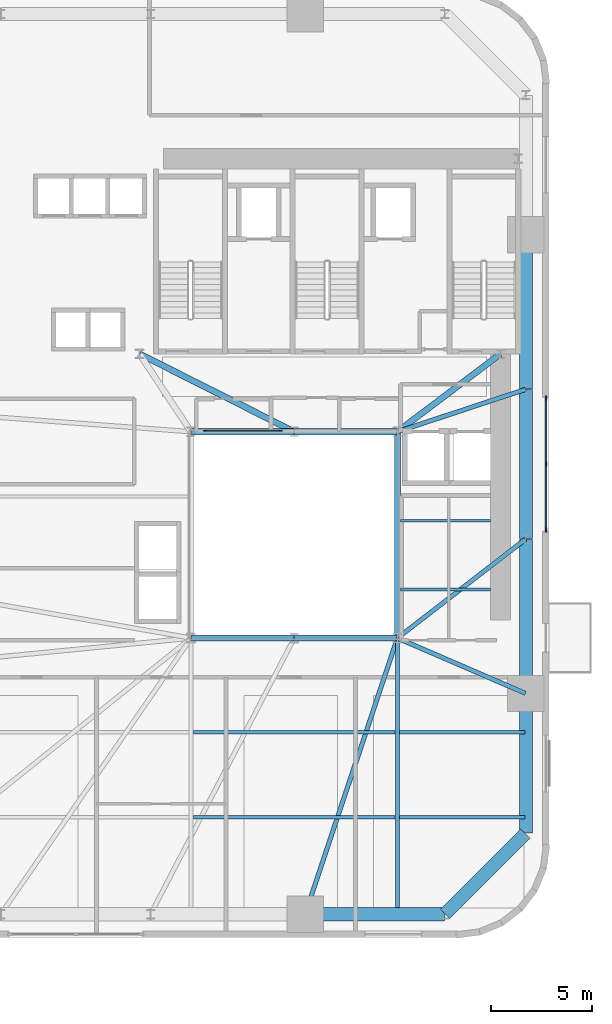
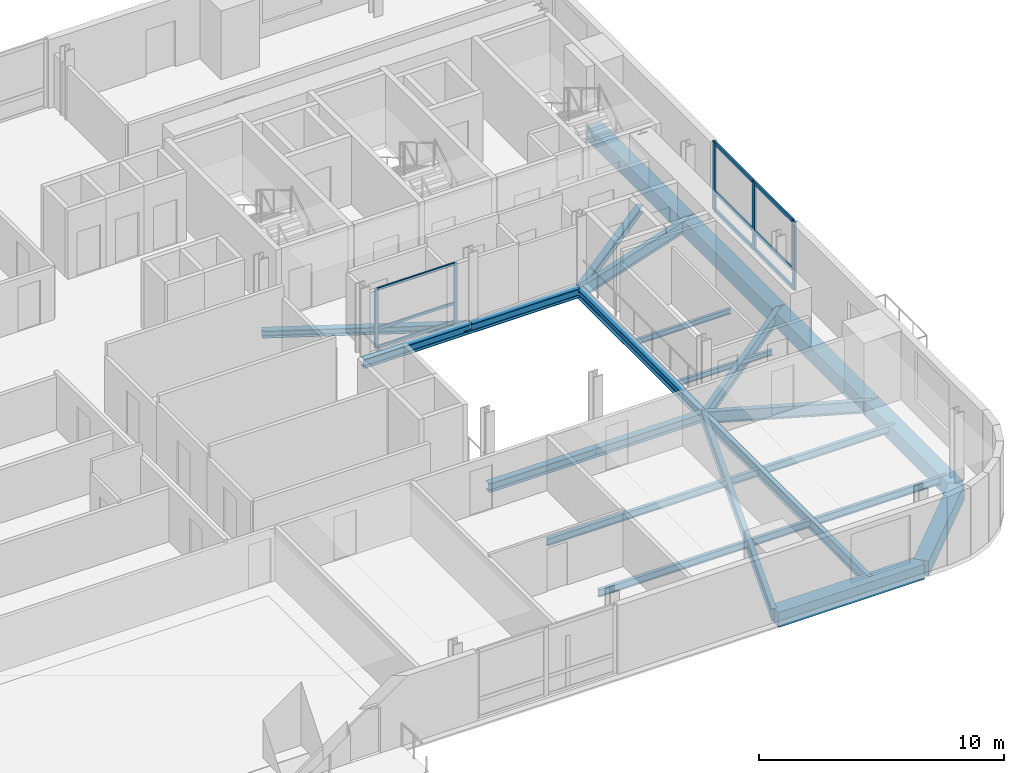
# One storey, part 3 of 13: 24 beams, 14 members, 2 elements without a shape of their own.
"""IFC4 building model written with IfcOpenShell, lengths in metres."""

from ifc_helpers import new_model, si_unit, direction, frame, origin, origin_2d, place, context, subcontext, project, spatial, rectangle, i_section, extrude, source, transform, mapped, material, material_profile, profile_set, type_object, element, aggregate, save


model = new_model("IFC4")

# Units and contexts
model_context = context("Model", 3, precision=1e-05, world=origin(), true_north=direction((0.0, 1.0)))
body_context = subcontext(model_context, "Body", "Model", "MODEL_VIEW")
ifc_project = project(units=[si_unit("LENGTHUNIT", "METRE"), si_unit("AREAUNIT", "SQUARE_METRE"), si_unit("VOLUMEUNIT", "CUBIC_METRE"), si_unit("PLANEANGLEUNIT", "RADIAN"), si_unit("MASSUNIT", "GRAM", prefix="KILO")], contexts=[model_context])

# Site, building, storey
site_placement = place(None, origin())
site = spatial("IfcSite", under=ifc_project, at=site_placement, CompositionType="ELEMENT")
building_placement = place(site_placement, origin())
building = spatial("IfcBuilding", under=site, at=building_placement, Name="Vardaveli Station Tower", CompositionType="ELEMENT")
storey_placement = place(building_placement, frame((0.0, 0.0, 34.89990234375)))
storey = spatial("IfcBuildingStorey", under=building, at=storey_placement, Name="L08", CompositionType="ELEMENT", Elevation=34.89990234375)

# Beams
ifc_material_1 = material(Name="Structural steel S355J2", Category="steel")
ifc_material_profile_1 = material_profile(ifc_material_1, i_section(OverallWidth=0.300048828125, OverallDepth=0.449951171875, WebThickness=0.013916015625, FlangeThickness=0.02587890625, FilletRadius=0.027099609375, at=origin_2d()), Name="HEB 450")
ifc_profile_set_1 = profile_set([ifc_material_profile_1], Name="Structural steel S355J2")
beam_type_1 = type_object("IfcBeamType", Name="BM-HEB450", PredefinedType="BEAM", material=ifc_profile_set_1)
shared_shape_1 = source(origin(), body_context, "Body", "SweptSolid", [
    extrude(i_section(OverallWidth=0.300048828125, OverallDepth=0.449951171875, WebThickness=0.013916015625, FlangeThickness=0.02587890625, FilletRadius=0.027099609375, at=origin_2d()), origin(), (0.0, 0.0, 1.0), 5.06005859375),
])
for number, where, z_axis, x_axis, name in (
    (1, (31.219970703125, 16.60009765625, -0.46484375), (1.0, 0.0, 0.0), (0.0, 1.0, 0.0), "ABM-L08-01"),
    (2, (36.280029296875, 26.800048828125, -0.46484375), (-1.0, 0.0, 0.0), (0.0, -1.0, 0.0), "ABM-L08-05"),
):
    element("IfcBeam", number, at=place(storey_placement, frame(where, z_axis=z_axis, x_axis=x_axis)), inside=storey, type_object=beam_type_1, Name=name, PredefinedType="BEAM", context=body_context, shape_type="MappedRepresentation", body=[
        mapped(shared_shape_1, transform((0.0, 0.0, 0.0), scale=1.0)),
    ])
shared_shape_2 = source(origin(), body_context, "Body", "SweptSolid", [
    extrude(i_section(OverallWidth=0.300048828125, OverallDepth=0.449951171875, WebThickness=0.013916015625, FlangeThickness=0.02587890625, FilletRadius=0.027099609375, at=origin_2d()), origin(), (0.0, 0.0, 1.0), 5.059814453125),
])
for number, where, z_axis, x_axis, name in (
    (3, (36.320068359375, 16.60009765625, -0.46484375), (1.0, 0.0, 0.0), (0.0, 1.0, 0.0), "ABM-L08-02"),
    (4, (41.3798828125, 26.800048828125, -0.46484375), (-1.0, 0.0, 0.0), (0.0, -1.0, 0.0), "ABM-L08-04"),
):
    element("IfcBeam", number, at=place(storey_placement, frame(where, z_axis=z_axis, x_axis=x_axis)), inside=storey, type_object=beam_type_1, Name=name, PredefinedType="BEAM", context=body_context, shape_type="MappedRepresentation", body=[
        mapped(shared_shape_2, transform((0.0, 0.0, 0.0), scale=1.0)),
    ])
shared_shape_3 = source(origin(), body_context, "Body", "SweptSolid", [
    extrude(i_section(OverallWidth=0.300048828125, OverallDepth=0.449951171875, WebThickness=0.013916015625, FlangeThickness=0.02587890625, FilletRadius=0.027099609375, at=origin_2d()), origin(), (0.0, 0.0, 1.0), 10.159912109375),
])
beam_1_placement = place(storey_placement, frame((41.39990234375, 16.6201171875, -0.46484375), z_axis=(0.0, 1.0, 0.0), x_axis=(-1.0, 0.0, 0.0)))
element("IfcBeam", 5, at=beam_1_placement, inside=storey, type_object=beam_type_1, Name="ABM-L08-03", PredefinedType="BEAM", context=body_context, shape_type="MappedRepresentation", body=[
    mapped(shared_shape_3, transform((0.0, 0.0, 0.0), scale=1.0)),
])
ifc_material_profile_2 = material_profile(ifc_material_1, i_section(OverallWidth=0.300048828125, OverallDepth=0.360107421875, WebThickness=0.012451171875, FlangeThickness=0.0224609375, FilletRadius=0.027099609375, at=origin_2d()), Name="HEB 360")
ifc_profile_set_2 = profile_set([ifc_material_profile_2], Name="Structural steel S355J2")
beam_type_2 = type_object("IfcBeamType", Name="BM-HEB360", PredefinedType="BEAM", material=ifc_profile_set_2)
shared_shape_4 = source(origin(), body_context, "Body", "SweptSolid", [
    extrude(i_section(OverallWidth=0.300048828125, OverallDepth=0.360107421875, WebThickness=0.012451171875, FlangeThickness=0.0224609375, FilletRadius=0.027099609375, at=origin_2d()), origin(), (0.0, 0.0, 1.0), 6.35009765625),
])
beam_2_placement = place(storey_placement, frame((41.416015625, 26.81201171875, -0.419921875), z_axis=(0.798118337722, 0.602500721154, 0.0), x_axis=(-0.602500721154, 0.798118337722, 0.0)))
element("IfcBeam", 6, at=beam_2_placement, inside=storey, type_object=beam_type_2, Name="CBM-L08-02", PredefinedType="BEAM", context=body_context, shape_type="MappedRepresentation", body=[
    mapped(shared_shape_4, transform((0.0, 0.0, 0.0), scale=1.0)),
])
shared_shape_5 = source(origin(), body_context, "Body", "SweptSolid", [
    extrude(i_section(OverallWidth=0.300048828125, OverallDepth=0.360107421875, WebThickness=0.012451171875, FlangeThickness=0.0224609375, FilletRadius=0.027099609375, at=origin_2d()), origin(), (0.0, 0.0, 1.0), 8.524169921875),
])
beam_3_placement = place(storey_placement, frame((28.66796875, 30.64111328125, -0.419921875), z_axis=(0.893255584708, -0.449549174605, 0.0), x_axis=(0.449549174605, 0.893255584708, 0.0)))
element("IfcBeam", 7, at=beam_3_placement, inside=storey, type_object=beam_type_2, Name="CBM-L08-03", PredefinedType="BEAM", context=body_context, shape_type="MappedRepresentation", body=[
    mapped(shared_shape_5, transform((0.0, 0.0, 0.0), scale=1.0)),
])
ifc_material_2 = material(Name="Precast concrete C45/55", Category="concrete")
ifc_material_profile_3 = material_profile(ifc_material_2, rectangle(XDim=0.64990234375, YDim=0.75, at=origin_2d()), Name="LPB 650x750")
ifc_profile_set_3 = profile_set([ifc_material_profile_3], Name="Precast concrete C45/55")
beam_type_3 = type_object("IfcBeamType", Name="BM-LPB-750", PredefinedType="BEAM", material=ifc_profile_set_3)
shared_shape_6 = source(origin(), body_context, "Body", "SweptSolid", [
    extrude(rectangle(XDim=0.64990234375, YDim=0.75, at=origin_2d()), origin(), (0.0, 0.0, 1.0), 7.60009765625),
])
for number, where, z_axis, x_axis, name in (
    (8, (47.75, 13.8798828125, -0.614990234375), (0.0, 1.0, 0.0), (-1.0, 0.0, 0.0), "RBM-L08-07"),
    (9, (47.75, 28.919921875, -0.614990234375), (0.0, 1.0, 0.0), (-1.0, 0.0, 0.0), "RBM-L08-09"),
):
    element("IfcBeam", number, at=place(storey_placement, frame(where, z_axis=z_axis, x_axis=x_axis)), inside=storey, type_object=beam_type_3, Name=name, PredefinedType="BEAM", context=body_context, shape_type="MappedRepresentation", body=[
        mapped(shared_shape_6, transform((0.0, 0.0, 0.0), scale=1.0)),
    ])
shared_shape_7 = source(origin(), body_context, "Body", "SweptSolid", [
    extrude(rectangle(XDim=0.64990234375, YDim=0.75, at=origin_2d()), origin(), (0.0, 0.0, 1.0), 7.35986328125),
])
beam_4_placement = place(storey_placement, frame((47.75, 21.52001953125, -0.614990234375), z_axis=(0.0, 1.0, 0.0), x_axis=(-1.0, 0.0, 0.0)))
element("IfcBeam", 10, at=beam_4_placement, inside=storey, type_object=beam_type_3, Name="RBM-L08-08", PredefinedType="BEAM", context=body_context, shape_type="MappedRepresentation", body=[
    mapped(shared_shape_7, transform((0.0, 0.0, 0.0), scale=1.0)),
])
shared_shape_8 = source(origin(), body_context, "Body", "SweptSolid", [
    extrude(rectangle(XDim=0.64990234375, YDim=0.75, at=origin_2d()), origin(), (0.0, 0.0, 1.0), 6.869873046875),
])
beam_5_placement = place(storey_placement, frame((36.860107421875, 2.949951171875, -0.614990234375), z_axis=(1.0, 0.0, 0.0), x_axis=(0.0, 1.0, 0.0)))
element("IfcBeam", 11, at=beam_5_placement, inside=storey, type_object=beam_type_3, Name="RBM-L08-04", PredefinedType="BEAM", context=body_context, shape_type="MappedRepresentation", body=[
    mapped(shared_shape_8, transform((0.0, 0.0, 0.0), scale=1.0)),
])
shared_shape_9 = source(origin(), body_context, "Body", "SweptSolid", [
    extrude(rectangle(XDim=0.64990234375, YDim=0.75, at=origin_2d()), origin(), (0.0, 0.0, 1.0), 5.61669921875),
])
beam_6_placement = place(storey_placement, frame((43.76416015625, 2.964111328125, -0.614990234375), z_axis=(0.707106781187, 0.707106781187, 0.0), x_axis=(-0.707106781187, 0.707106781187, 0.0)))
element("IfcBeam", 12, at=beam_6_placement, inside=storey, type_object=beam_type_3, Name="RBM-L08-05", PredefinedType="BEAM", context=body_context, shape_type="MappedRepresentation", body=[
    mapped(shared_shape_9, transform((0.0, 0.0, 0.0), scale=1.0)),
])
shared_shape_10 = source(origin(), body_context, "Body", "SweptSolid", [
    extrude(rectangle(XDim=0.64990234375, YDim=0.75, at=origin_2d()), origin(), (0.0, 0.0, 1.0), 6.8701171875),
])
beam_7_placement = place(storey_placement, frame((47.75, 6.969970703125, -0.614990234375), z_axis=(0.0, 1.0, 0.0), x_axis=(-1.0, 0.0, 0.0)))
element("IfcBeam", 13, at=beam_7_placement, inside=storey, type_object=beam_type_3, Name="RBM-L08-06", PredefinedType="BEAM", context=body_context, shape_type="MappedRepresentation", body=[
    mapped(shared_shape_10, transform((0.0, 0.0, 0.0), scale=1.0)),
])
ifc_material_profile_4 = material_profile(ifc_material_1, i_section(OverallWidth=0.219970703125, OverallDepth=0.60009765625, WebThickness=0.011962890625, FlangeThickness=0.01904296875, FilletRadius=0.02392578125, at=origin_2d()), Name="IPE 600")
ifc_profile_set_4 = profile_set([ifc_material_profile_4], Name="Structural steel S355J2")
beam_type_4 = type_object("IfcBeamType", Name="BM-IPE600", PredefinedType="BEAM", material=ifc_profile_set_4)
shared_shape_11 = source(origin(), body_context, "Body", "SweptSolid", [
    extrude(i_section(OverallWidth=0.219970703125, OverallDepth=0.60009765625, WebThickness=0.011962890625, FlangeThickness=0.01904296875, FilletRadius=0.02392578125, at=origin_2d()), origin(), (0.0, 0.0, 1.0), 14.3515625),
])
beam_8_placement = place(storey_placement, frame((36.846435546875, 2.968994140625, -0.539794921875), z_axis=(0.316840115921, 0.948478961782, 0.0), x_axis=(-0.948478961782, 0.316840115921, 0.0)))
element("IfcBeam", 14, at=beam_8_placement, inside=storey, type_object=beam_type_4, Name="GBM-L08-04", PredefinedType="BEAM", context=body_context, shape_type="MappedRepresentation", body=[
    mapped(shared_shape_11, transform((0.0, 0.0, 0.0), scale=1.0)),
])
shared_shape_12 = source(origin(), body_context, "Body", "SweptSolid", [
    extrude(i_section(OverallWidth=0.219970703125, OverallDepth=0.60009765625, WebThickness=0.011962890625, FlangeThickness=0.01904296875, FilletRadius=0.02392578125, at=origin_2d()), origin(), (0.0, 0.0, 1.0), 6.8759765625),
])
beam_9_placement = place(storey_placement, frame((47.731689453125, 13.867919921875, -0.539794921875), z_axis=(-0.918170694621, 0.396185026899, 0.0), x_axis=(-0.396185026899, -0.918170694621, 0.0)))
element("IfcBeam", 15, at=beam_9_placement, inside=storey, type_object=beam_type_4, Name="GBM-L08-05", PredefinedType="BEAM", context=body_context, shape_type="MappedRepresentation", body=[
    mapped(shared_shape_12, transform((0.0, 0.0, 0.0), scale=1.0)),
])
shared_shape_13 = source(origin(), body_context, "Body", "SweptSolid", [
    extrude(i_section(OverallWidth=0.219970703125, OverallDepth=0.60009765625, WebThickness=0.011962890625, FlangeThickness=0.01904296875, FilletRadius=0.02392578125, at=origin_2d()), origin(), (0.0, 0.0, 1.0), 7.980712890625),
])
beam_10_placement = place(storey_placement, frame((47.734130859375, 21.48779296875, -0.539794921875), z_axis=(-0.791701934907, -0.610907559509, 0.0), x_axis=(0.610907559509, -0.791701934907, 0.0)))
element("IfcBeam", 16, at=beam_10_placement, inside=storey, type_object=beam_type_4, Name="GBM-L08-06", PredefinedType="BEAM", context=body_context, shape_type="MappedRepresentation", body=[
    mapped(shared_shape_13, transform((0.0, 0.0, 0.0), scale=1.0)),
])
shared_shape_14 = source(origin(), body_context, "Body", "SweptSolid", [
    extrude(i_section(OverallWidth=0.219970703125, OverallDepth=0.60009765625, WebThickness=0.011962890625, FlangeThickness=0.01904296875, FilletRadius=0.02392578125, at=origin_2d()), origin(), (0.0, 0.0, 1.0), 6.648193359375),
])
beam_11_placement = place(storey_placement, frame((47.73095703125, 28.893798828125, -0.539794921875), z_axis=(-0.949429779906, -0.313979446824, 0.0), x_axis=(0.313979446824, -0.949429779906, 0.0)))
element("IfcBeam", 17, at=beam_11_placement, inside=storey, type_object=beam_type_4, Name="GBM-L08-07", PredefinedType="BEAM", context=body_context, shape_type="MappedRepresentation", body=[
    mapped(shared_shape_14, transform((0.0, 0.0, 0.0), scale=1.0)),
])
ifc_material_profile_5 = material_profile(ifc_material_1, i_section(OverallWidth=0.2099609375, OverallDepth=0.550048828125, WebThickness=0.010986328125, FlangeThickness=0.01708984375, FilletRadius=0.02392578125, at=origin_2d()), Name="IPE 550")
ifc_profile_set_5 = profile_set([ifc_material_profile_5], Name="Structural steel S355J2")
beam_type_5 = type_object("IfcBeamType", Name="BM-IPE550", PredefinedType="BEAM", material=ifc_profile_set_5)
shared_shape_15 = source(origin(), body_context, "Body", "SweptSolid", [
    extrude(i_section(OverallWidth=0.2099609375, OverallDepth=0.550048828125, WebThickness=0.010986328125, FlangeThickness=0.01708984375, FilletRadius=0.02392578125, at=origin_2d()), origin(), (0.0, 0.0, 1.0), 13.469970703125),
])
beam_12_placement = place(storey_placement, frame((41.39990234375, 2.989990234375, -0.514892578125), z_axis=(0.0, 1.0, 0.0), x_axis=(-1.0, 0.0, 0.0)))
element("IfcBeam", 18, at=beam_12_placement, inside=storey, type_object=beam_type_5, Name="NSM-L08-S2", PredefinedType="BEAM", context=body_context, shape_type="MappedRepresentation", body=[
    mapped(shared_shape_15, transform((0.0, 0.0, 0.0), scale=1.0)),
])
ifc_material_profile_6 = material_profile(ifc_material_1, i_section(OverallWidth=0.169921875, OverallDepth=0.360107421875, WebThickness=0.008056640625, FlangeThickness=0.0126953125, FilletRadius=0.01806640625, at=origin_2d()), Name="IPE 360")
ifc_profile_set_6 = profile_set([ifc_material_profile_6], Name="Structural steel S355J2")
beam_type_6 = type_object("IfcBeamType", Name="BM-IPE360", PredefinedType="JOIST", material=ifc_profile_set_6)
shared_shape_16 = source(origin(), body_context, "Body", "SweptSolid", [
    extrude(i_section(OverallWidth=0.169921875, OverallDepth=0.360107421875, WebThickness=0.008056640625, FlangeThickness=0.0126953125, FilletRadius=0.01806640625, at=origin_2d()), origin(), (0.0, 0.0, 1.0), 9.97607421875),
])
for number, where, z_axis, x_axis, name in (
    (19, (31.31201171875, 7.75, -0.419921875), (1.0, 0.0, 0.0), (0.0, 1.0, 0.0), "SJ-L08-S02"),
    (20, (31.31201171875, 11.949951171875, -0.419921875), (1.0, 0.0, 0.0), (0.0, 1.0, 0.0), "SJ-L08-S05"),
):
    element("IfcBeam", number, at=place(storey_placement, frame(where, z_axis=z_axis, x_axis=x_axis)), inside=storey, type_object=beam_type_6, Name=name, PredefinedType="JOIST", context=body_context, shape_type="MappedRepresentation", body=[
        mapped(shared_shape_16, transform((0.0, 0.0, 0.0), scale=1.0)),
    ])
shared_shape_17 = source(origin(), body_context, "Body", "SweptSolid", [
    extrude(i_section(OverallWidth=0.169921875, OverallDepth=0.360107421875, WebThickness=0.008056640625, FlangeThickness=0.0126953125, FilletRadius=0.01806640625, at=origin_2d()), origin(), (0.0, 0.0, 1.0), 6.197998046875),
])
for number, where, z_axis, x_axis, name in (
    (21, (41.511962890625, 7.75, -0.419921875), (1.0, 0.0, 0.0), (0.0, 1.0, 0.0), "SJ-L08-S03"),
    (22, (41.511962890625, 11.949951171875, -0.419921875), (1.0, 0.0, 0.0), (0.0, 1.0, 0.0), "SJ-L08-S06"),
):
    element("IfcBeam", number, at=place(storey_placement, frame(where, z_axis=z_axis, x_axis=x_axis)), inside=storey, type_object=beam_type_6, Name=name, PredefinedType="JOIST", context=body_context, shape_type="MappedRepresentation", body=[
        mapped(shared_shape_17, transform((0.0, 0.0, 0.0), scale=1.0)),
    ])
ifc_material_profile_7 = material_profile(ifc_material_1, i_section(OverallWidth=0.135009765625, OverallDepth=0.27001953125, WebThickness=0.006591796875, FlangeThickness=0.01025390625, FilletRadius=0.014892578125, at=origin_2d()), Name="IPE 270")
ifc_profile_set_7 = profile_set([ifc_material_profile_7], Name="Structural steel S355J2")
beam_type_7 = type_object("IfcBeamType", Name="BM-IPE270", PredefinedType="BEAM", material=ifc_profile_set_7)
shared_shape_18 = source(origin(), body_context, "Body", "SweptSolid", [
    extrude(i_section(OverallWidth=0.135009765625, OverallDepth=0.27001953125, WebThickness=0.006591796875, FlangeThickness=0.01025390625, FilletRadius=0.014892578125, at=origin_2d()), origin(), (0.0, 0.0, 1.0), 4.43017578125),
])
for number, where, z_axis, x_axis, name in (
    (23, (41.56494140625, 19.0, -0.375), (1.0, 0.0, 0.0), (0.0, 1.0, 0.0), "TJ-L08-01"),
    (24, (41.56494140625, 22.39990234375, -0.375), (1.0, 0.0, 0.0), (0.0, 1.0, 0.0), "TJ-L08-02"),
):
    element("IfcBeam", number, at=place(storey_placement, frame(where, z_axis=z_axis, x_axis=x_axis)), inside=storey, type_object=beam_type_7, Name=name, PredefinedType="BEAM", context=body_context, shape_type="MappedRepresentation", body=[
        mapped(shared_shape_18, transform((0.0, 0.0, 0.0), scale=1.0)),
    ])

# Curtain wall, members
ifc_material_3 = material(Name="Travertine stone and solar-control glass", Category="masonry")
curtain_wall_type_1 = type_object("IfcCurtainWallType", Name="CW-SYS-2", PredefinedType="NOTDEFINED", material=ifc_material_3)
curtain_wall_1_placement = place(storey_placement, origin())
curtain_wall_1 = element("IfcCurtainWall", 25, at=curtain_wall_1_placement, inside=storey, type_object=curtain_wall_type_1, Name="CW-L08-E", PredefinedType="NOTDEFINED")
ifc_material_4 = material(Name="Anodised aluminium alloy 6063-T6", Category="aluminium")
ifc_material_profile_8 = material_profile(ifc_material_4, rectangle(XDim=0.0849609375, YDim=0.179931640625, at=origin_2d()), Name="CWT 85x180")
ifc_profile_set_8 = profile_set([ifc_material_profile_8], Name="Anodised aluminium alloy 6063-T6")
member_type_1 = type_object("IfcMemberType", Name="CW-SYS-2-TRAN", PredefinedType="NOTDEFINED", material=ifc_profile_set_8)
shared_shape_19 = source(origin(), body_context, "Body", "SweptSolid", [
    extrude(rectangle(XDim=0.0849609375, YDim=0.179931640625, at=origin_2d()), origin(), (0.0, 0.0, 1.0), 3.172607421875),
])
member_1_placement = place(storey_placement, frame((48.739990234375, 25.242431640625, 0.04248046875), z_axis=(0.0, 1.0, 0.0), x_axis=(-1.0, 0.0, 0.0)))
member_1 = element("IfcMember", 26, at=member_1_placement, type_object=member_type_1, Name="CW-2 transom 2.1", ObjectType="TRANSOM", PredefinedType="USERDEFINED", context=body_context, shape_type="MappedRepresentation", body=[
    mapped(shared_shape_19, transform((0.0, 0.0, 0.0), scale=1.0)),
])
member_2_placement = place(storey_placement, frame((48.739990234375, 25.242431640625, 0.9501953125), z_axis=(0.0, 1.0, 0.0), x_axis=(-1.0, 0.0, 0.0)))
member_2 = element("IfcMember", 27, at=member_2_placement, type_object=member_type_1, Name="CW-2 transom 2.2", ObjectType="TRANSOM", PredefinedType="USERDEFINED", context=body_context, shape_type="MappedRepresentation", body=[
    mapped(shared_shape_19, transform((0.0, 0.0, 0.0), scale=1.0)),
])
member_3_placement = place(storey_placement, frame((48.739990234375, 25.242431640625, 3.36767578125), z_axis=(0.0, 1.0, 0.0), x_axis=(-1.0, 0.0, 0.0)))
member_3 = element("IfcMember", 28, at=member_3_placement, type_object=member_type_1, Name="CW-2 transom 2.3", ObjectType="TRANSOM", PredefinedType="USERDEFINED", context=body_context, shape_type="MappedRepresentation", body=[
    mapped(shared_shape_19, transform((0.0, 0.0, 0.0), scale=1.0)),
])
shared_shape_20 = source(origin(), body_context, "Body", "SweptSolid", [
    extrude(rectangle(XDim=0.0849609375, YDim=0.179931640625, at=origin_2d()), origin(), (0.0, 0.0, 1.0), 3.17236328125),
])
member_4_placement = place(storey_placement, frame((48.739990234375, 21.985107421875, 0.04248046875), z_axis=(0.0, 1.0, 0.0), x_axis=(-1.0, 0.0, 0.0)))
member_4 = element("IfcMember", 29, at=member_4_placement, type_object=member_type_1, Name="CW-2 transom 1.1", ObjectType="TRANSOM", PredefinedType="USERDEFINED", context=body_context, shape_type="MappedRepresentation", body=[
    mapped(shared_shape_20, transform((0.0, 0.0, 0.0), scale=1.0)),
])
member_5_placement = place(storey_placement, frame((48.739990234375, 21.985107421875, 0.9501953125), z_axis=(0.0, 1.0, 0.0), x_axis=(-1.0, 0.0, 0.0)))
member_5 = element("IfcMember", 30, at=member_5_placement, type_object=member_type_1, Name="CW-2 transom 1.2", ObjectType="TRANSOM", PredefinedType="USERDEFINED", context=body_context, shape_type="MappedRepresentation", body=[
    mapped(shared_shape_20, transform((0.0, 0.0, 0.0), scale=1.0)),
])
member_6_placement = place(storey_placement, frame((48.739990234375, 21.985107421875, 3.36767578125), z_axis=(0.0, 1.0, 0.0), x_axis=(-1.0, 0.0, 0.0)))
member_6 = element("IfcMember", 31, at=member_6_placement, type_object=member_type_1, Name="CW-2 transom 1.3", ObjectType="TRANSOM", PredefinedType="USERDEFINED", context=body_context, shape_type="MappedRepresentation", body=[
    mapped(shared_shape_20, transform((0.0, 0.0, 0.0), scale=1.0)),
])
ifc_material_profile_9 = material_profile(ifc_material_4, rectangle(XDim=0.0849609375, YDim=0.219970703125, at=origin_2d()), Name="CWM 85x220")
ifc_profile_set_9 = profile_set([ifc_material_profile_9], Name="Anodised aluminium alloy 6063-T6")
member_type_2 = type_object("IfcMemberType", Name="CW-SYS-2-MULL", PredefinedType="MULLION", material=ifc_profile_set_9)
shared_shape_21 = source(origin(), body_context, "Body", "SweptSolid", [
    extrude(rectangle(XDim=0.0849609375, YDim=0.219970703125, at=origin_2d()), origin(), (0.0, 0.0, 1.0), 3.41015625),
])
member_7_placement = place(storey_placement, frame((48.739990234375, 21.9423828125, 0.0), z_axis=(0.0, 0.0, 1.0), x_axis=(-1.0, 0.0, 0.0)))
member_7 = element("IfcMember", 32, at=member_7_placement, type_object=member_type_2, Name="CW-2 mullion 1", PredefinedType="MULLION", context=body_context, shape_type="MappedRepresentation", body=[
    mapped(shared_shape_21, transform((0.0, 0.0, 0.0), scale=1.0)),
])
member_8_placement = place(storey_placement, frame((48.739990234375, 25.199951171875, 0.0), z_axis=(0.0, 0.0, 1.0), x_axis=(-1.0, 0.0, 0.0)))
member_8 = element("IfcMember", 33, at=member_8_placement, type_object=member_type_2, Name="CW-2 mullion 2", PredefinedType="MULLION", context=body_context, shape_type="MappedRepresentation", body=[
    mapped(shared_shape_21, transform((0.0, 0.0, 0.0), scale=1.0)),
])
member_9_placement = place(storey_placement, frame((48.739990234375, 28.45751953125, 0.0), z_axis=(0.0, 0.0, 1.0), x_axis=(-1.0, 0.0, 0.0)))
member_9 = element("IfcMember", 34, at=member_9_placement, type_object=member_type_2, Name="CW-2 mullion 3", PredefinedType="MULLION", context=body_context, shape_type="MappedRepresentation", body=[
    mapped(shared_shape_21, transform((0.0, 0.0, 0.0), scale=1.0)),
])
aggregate(curtain_wall_1, [member_7, member_8, member_9, member_4, member_5, member_6, member_1, member_2, member_3])

curtain_wall_type_2 = type_object("IfcCurtainWallType", Name="CW-SYS-4", PredefinedType="NOTDEFINED", material=ifc_material_3)
curtain_wall_2_placement = place(storey_placement, origin())
curtain_wall_2 = element("IfcCurtainWall", 35, at=curtain_wall_2_placement, inside=storey, type_object=curtain_wall_type_2, Name="CW-L08-ATN", PredefinedType="NOTDEFINED")
ifc_material_profile_10 = material_profile(ifc_material_4, rectangle(XDim=0.070068359375, YDim=0.135009765625, at=origin_2d()), Name="CWT 70x135")
ifc_profile_set_10 = profile_set([ifc_material_profile_10], Name="Anodised aluminium alloy 6063-T6")
member_type_3 = type_object("IfcMemberType", Name="CW-SYS-4-TRAN", PredefinedType="NOTDEFINED", material=ifc_profile_set_10)
shared_shape_22 = source(origin(), body_context, "Body", "SweptSolid", [
    extrude(rectangle(XDim=0.070068359375, YDim=0.135009765625, at=origin_2d()), origin(), (0.0, 0.0, 1.0), 3.66015625),
])
member_10_placement = place(storey_placement, frame((31.919921875, 26.85009765625, 0.03515625), z_axis=(1.0, 0.0, 0.0), x_axis=(0.0, 1.0, 0.0)))
member_10 = element("IfcMember", 36, at=member_10_placement, type_object=member_type_3, Name="CW-4 transom 1.1", ObjectType="TRANSOM", PredefinedType="USERDEFINED", context=body_context, shape_type="MappedRepresentation", body=[
    mapped(shared_shape_22, transform((0.0, 0.0, 0.0), scale=1.0)),
])
member_11_placement = place(storey_placement, frame((31.919921875, 26.85009765625, 0.9501953125), z_axis=(1.0, 0.0, 0.0), x_axis=(0.0, 1.0, 0.0)))
member_11 = element("IfcMember", 37, at=member_11_placement, type_object=member_type_3, Name="CW-4 transom 1.2", ObjectType="TRANSOM", PredefinedType="USERDEFINED", context=body_context, shape_type="MappedRepresentation", body=[
    mapped(shared_shape_22, transform((0.0, 0.0, 0.0), scale=1.0)),
])
member_12_placement = place(storey_placement, frame((31.919921875, 26.85009765625, 2.9150390625), z_axis=(1.0, 0.0, 0.0), x_axis=(0.0, 1.0, 0.0)))
member_12 = element("IfcMember", 38, at=member_12_placement, type_object=member_type_3, Name="CW-4 transom 1.3", ObjectType="TRANSOM", PredefinedType="USERDEFINED", context=body_context, shape_type="MappedRepresentation", body=[
    mapped(shared_shape_22, transform((0.0, 0.0, 0.0), scale=1.0)),
])
ifc_material_profile_11 = material_profile(ifc_material_4, rectangle(XDim=0.070068359375, YDim=0.1650390625, at=origin_2d()), Name="CWM 70x165")
ifc_profile_set_11 = profile_set([ifc_material_profile_11], Name="Anodised aluminium alloy 6063-T6")
member_type_4 = type_object("IfcMemberType", Name="CW-SYS-4-MULL", PredefinedType="MULLION", material=ifc_profile_set_11)
shared_shape_23 = source(origin(), body_context, "Body", "SweptSolid", [
    extrude(rectangle(XDim=0.070068359375, YDim=0.1650390625, at=origin_2d()), origin(), (0.0, 0.0, 1.0), 2.9501953125),
])
member_13_placement = place(storey_placement, frame((31.885009765625, 26.85009765625, 0.0), z_axis=(0.0, 0.0, 1.0), x_axis=(0.0, 1.0, 0.0)))
member_13 = element("IfcMember", 39, at=member_13_placement, type_object=member_type_4, Name="CW-4 mullion 1", PredefinedType="MULLION", context=body_context, shape_type="MappedRepresentation", body=[
    mapped(shared_shape_23, transform((0.0, 0.0, 0.0), scale=1.0)),
])
member_14_placement = place(storey_placement, frame((35.614990234375, 26.85009765625, 0.0), z_axis=(0.0, 0.0, 1.0), x_axis=(0.0, 1.0, 0.0)))
member_14 = element("IfcMember", 40, at=member_14_placement, type_object=member_type_4, Name="CW-4 mullion 2", PredefinedType="MULLION", context=body_context, shape_type="MappedRepresentation", body=[
    mapped(shared_shape_23, transform((0.0, 0.0, 0.0), scale=1.0)),
])
aggregate(curtain_wall_2, [member_13, member_14, member_10, member_11, member_12])

save(model, "model.ifc")
